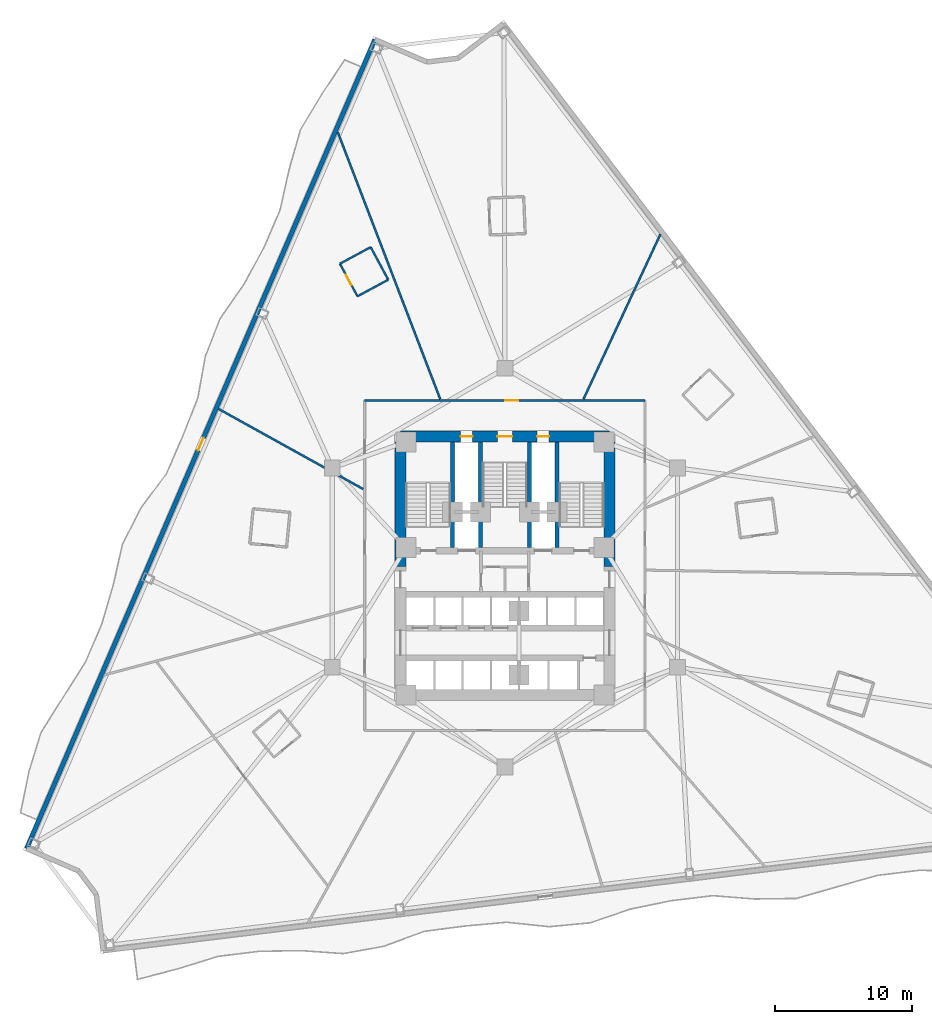
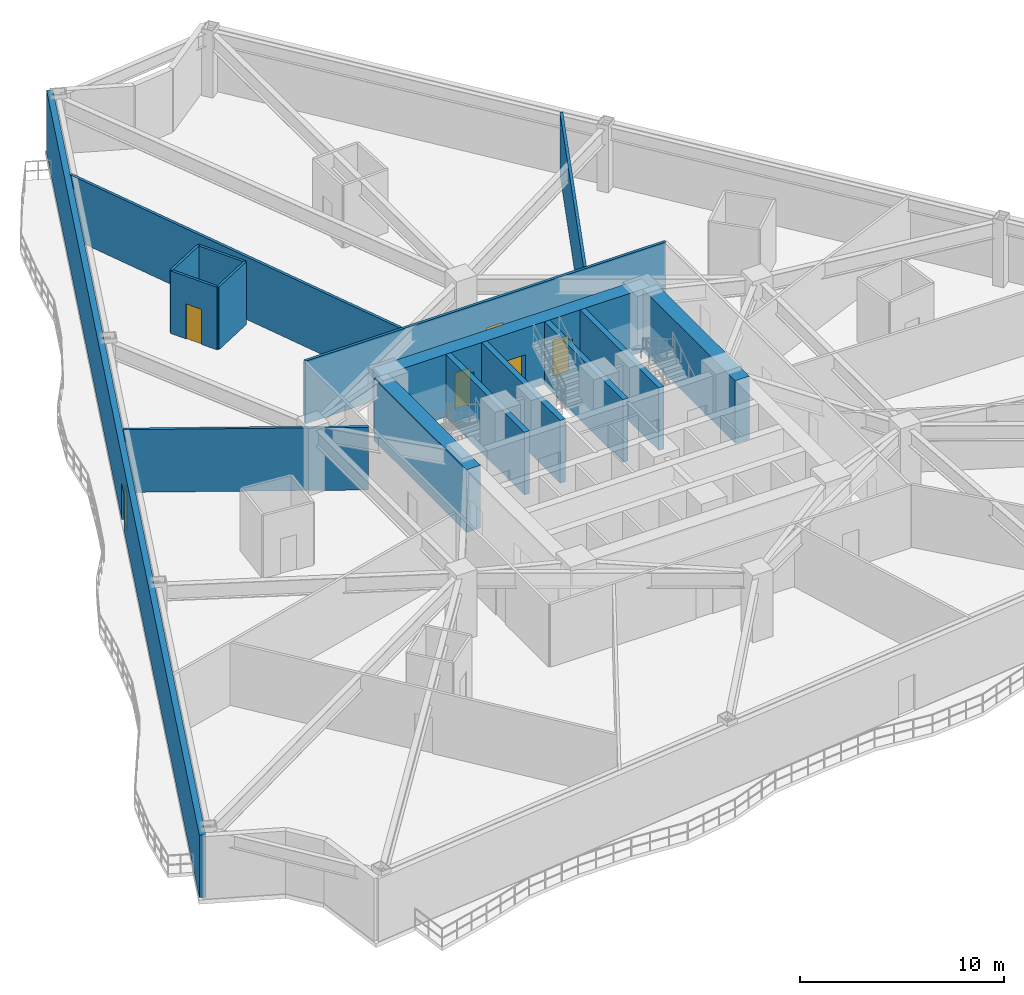
# One storey, part 6 of 12: 16 walls, 6 doors, 6 openings.
"""IFC4 building model written with IfcOpenShell, lengths in metres."""

from ifc_helpers import new_model, si_unit, direction, frame, frame_2d, origin, place, context, subcontext, project, spatial, rectangle, extrude, material, layer, layer_set, type_object, element, fill, save


model = new_model("IFC4")

# Units and contexts
model_context = context("Model", 3, precision=1e-05, world=origin(), true_north=direction((0.0, 1.0)))
body_context = subcontext(model_context, "Body", "Model", "MODEL_VIEW")
ifc_project = project(units=[si_unit("LENGTHUNIT", "METRE"), si_unit("AREAUNIT", "SQUARE_METRE"), si_unit("VOLUMEUNIT", "CUBIC_METRE"), si_unit("PLANEANGLEUNIT", "RADIAN"), si_unit("MASSUNIT", "GRAM", prefix="KILO")], contexts=[model_context])

# Site, building, storey
site_placement = place(None, origin())
site = spatial("IfcSite", under=ifc_project, at=site_placement, CompositionType="ELEMENT")
building_placement = place(site_placement, origin())
building = spatial("IfcBuilding", under=site, at=building_placement, Name="Apsidion Concourse Tower", CompositionType="ELEMENT")
storey_placement = place(building_placement, frame((0.0, 0.0, 71.0)))
storey = spatial("IfcBuildingStorey", under=building, at=storey_placement, Name="L15", CompositionType="ELEMENT", Elevation=71.0)

# Wall, opening, door
ifc_material_1 = material(Name="Precast concrete C40/50", Category="concrete")
ifc_layer_1 = layer(ifc_material_1, 0.320068359375)
ifc_layer_set_1 = layer_set([ifc_layer_1], Name="Precast concrete C40/50")
wall_type_1 = type_object("IfcWallType", Name="WL-EXT-320", PredefinedType="STANDARD", material=ifc_layer_set_1)
wall_1_placement = place(storey_placement, frame((-34.787353515625, -20.429443359375, 0.0), z_axis=(0.0, 0.0, 1.0), x_axis=(0.395418293843, 0.91850115563, 0.0)))
wall_1 = element("IfcWall", 1, at=wall_1_placement, inside=storey, type_object=wall_type_1, Name="L15 Precast Stone Facade Wall 09", PredefinedType="STANDARD", context=body_context, shape_type="SweptSolid", body=[
    extrude(rectangle(XDim=64.058349609375, YDim=0.320068359375, at=frame_2d((32.029296875, 0.0))), origin(), (0.0, 0.0, 1.0), 3.75),
])
opening_1_placement = place(wall_1_placement, frame((31.529296875, 0.0, 0.0)))
opening_1 = element("IfcOpeningElement", 2, at=opening_1_placement, cuts=wall_1, Name="Opening D-T1R", PredefinedType="OPENING", context=body_context, shape_type="SweptSolid", body=[
    extrude(rectangle(XDim=1.0, YDim=2.14990234375, at=frame_2d((0.5, 1.074951171875))), frame((0.0, 0.169921875, 0.0), z_axis=(0.0, -1.0, 0.0), x_axis=(1.0, 0.0, 0.0)), (0.0, 0.0, 1.0), 0.340087890625),
])
ifc_material_2 = material(Name="Anodised aluminium EN AW-6063 T6", Category="aluminium")
door_type_1 = type_object("IfcDoorType", Name="DR-TER-1022R", OperationType="SINGLE_SWING_RIGHT", PredefinedType="DOOR", material=ifc_material_2)
door_1_placement = place(opening_1_placement, origin())
door_1 = element("IfcDoor", 3, at=door_1_placement, inside=storey, type_object=door_type_1, Name="L15 Balcony Access Door 1", OperationType="SINGLE_SWING_RIGHT", OverallHeight=2.14990234375, OverallWidth=1.0, PredefinedType="DOOR", context=body_context, shape_type="SweptSolid", body=[
    extrude(rectangle(XDim=1.0, YDim=2.14990234375, at=frame_2d((0.5, 1.074951171875))), frame((0.0, 0.02490234375, 0.0), z_axis=(0.0, -1.0, 0.0), x_axis=(1.0, 0.0, 0.0)), (0.0, 0.0, 1.0), 0.050048828125),
])
fill(opening_1, door_1)

# Walls
ifc_material_3 = material(Name="Gypsum plasterboard partition")
ifc_layer_2 = layer(ifc_material_3, 0.139892578125)
ifc_layer_set_2 = layer_set([ifc_layer_2], Name="Gypsum plasterboard partition")
wall_type_2 = type_object("IfcWallType", Name="WL-INT-PAR-140", PredefinedType="PARTITIONING", material=ifc_layer_set_2)
wall_2_placement = place(storey_placement, frame((-8.48876953125, 20.944091796875, 0.0), z_axis=(0.0, 0.0, 1.0), x_axis=(-0.474126884087, 0.88045652805, 0.0)))
element("IfcWall", 4, at=wall_2_placement, inside=storey, type_object=wall_type_2, Name="L15 Interior Partition WL-L15-POD-ENS08-S1", PredefinedType="PARTITIONING", context=body_context, shape_type="SweptSolid", body=[
    extrude(rectangle(XDim=2.68994140625, YDim=0.139892578125, at=frame_2d((1.344970703125, 0.0))), origin(), (0.0, 0.0, 1.0), 3.75),
])
wall_3_placement = place(storey_placement, frame((-9.76416015625, 23.3125, 0.0), z_axis=(0.0, 0.0, 1.0), x_axis=(-0.880483445652, -0.474076894536, 0.0)))
element("IfcWall", 5, at=wall_3_placement, inside=storey, type_object=wall_type_2, Name="L15 Interior Partition WL-L15-POD-ENS08-S2", PredefinedType="PARTITIONING", context=body_context, shape_type="SweptSolid", body=[
    extrude(rectangle(XDim=2.539794921875, YDim=0.139892578125, at=frame_2d((1.27001953125, 0.0))), origin(), (0.0, 0.0, 1.0), 3.75),
])

# Wall, opening, door
wall_4_placement = place(storey_placement, frame((-12.00048828125, 22.1083984375, 0.0), z_axis=(0.0, 0.0, 1.0), x_axis=(0.474126884087, -0.88045652805, 0.0)))
wall_4 = element("IfcWall", 6, at=wall_4_placement, inside=storey, type_object=wall_type_2, Name="L15 Interior Partition WL-L15-POD-ENS08-S3", PredefinedType="PARTITIONING", context=body_context, shape_type="SweptSolid", body=[
    extrude(rectangle(XDim=2.68994140625, YDim=0.139892578125, at=frame_2d((1.344970703125, 0.0))), origin(), (0.0, 0.0, 1.0), 3.75),
])
opening_2_placement = place(wall_4_placement, frame((0.905029296875, 0.0, 0.0)))
opening_2 = element("IfcOpeningElement", 7, at=opening_2_placement, cuts=wall_4, Name="Opening D-03L", PredefinedType="OPENING", context=body_context, shape_type="SweptSolid", body=[
    extrude(rectangle(XDim=0.8798828125, YDim=2.10009765625, at=frame_2d((0.43994140625, 1.050048828125))), frame((0.0, 0.080078125, 0.0), z_axis=(0.0, -1.0, 0.0), x_axis=(1.0, 0.0, 0.0)), (0.0, 0.0, 1.0), 0.159912109375),
])
door_type_2 = type_object("IfcDoorType", Name="DR-INT-D03L", OperationType="SINGLE_SWING_LEFT", PredefinedType="DOOR", material=ifc_material_2)
door_2_placement = place(opening_2_placement, origin())
door_2 = element("IfcDoor", 8, at=door_2_placement, inside=storey, type_object=door_type_2, Name="L15 Guest En-Suite Bathroom Door ENS08", OperationType="SINGLE_SWING_LEFT", OverallHeight=2.10009765625, OverallWidth=0.8798828125, PredefinedType="DOOR", context=body_context, shape_type="SweptSolid", body=[
    extrude(rectangle(XDim=0.8798828125, YDim=2.10009765625, at=frame_2d((0.43994140625, 1.050048828125))), frame((0.0, 0.02490234375, 0.0), z_axis=(0.0, -1.0, 0.0), x_axis=(1.0, 0.0, 0.0)), (0.0, 0.0, 1.0), 0.050048828125),
])
fill(opening_2, door_2)

# Wall
wall_5_placement = place(storey_placement, frame((-10.72509765625, 19.739990234375, 0.0), z_axis=(0.0, 0.0, 1.0), x_axis=(0.880483445652, 0.474076894536, 0.0)))
element("IfcWall", 9, at=wall_5_placement, inside=storey, type_object=wall_type_2, Name="L15 Interior Partition WL-L15-POD-ENS08-S4", PredefinedType="PARTITIONING", context=body_context, shape_type="SweptSolid", body=[
    extrude(rectangle(XDim=2.539794921875, YDim=0.139892578125, at=frame_2d((1.27001953125, 0.0))), origin(), (0.0, 0.0, 1.0), 3.75),
])

# Wall, opening, door
ifc_layer_3 = layer(ifc_material_3, 0.14990234375)
ifc_layer_set_3 = layer_set([ifc_layer_3], Name="Gypsum plasterboard partition")
wall_type_3 = type_object("IfcWallType", Name="WL-INT-PAR-150", PredefinedType="PARTITIONING", material=ifc_layer_set_3)
wall_6_placement = place(storey_placement, frame((-10.199951171875, 12.14990234375, 0.0), z_axis=(0.0, 0.0, 1.0), x_axis=(1.0, 0.0, 0.0)))
wall_6 = element("IfcWall", 10, at=wall_6_placement, inside=storey, type_object=wall_type_3, Name="L15 Interior Partition WL-L15-CORR-01", PredefinedType="PARTITIONING", context=body_context, shape_type="SweptSolid", body=[
    extrude(rectangle(XDim=20.39990234375, YDim=0.14990234375, at=frame_2d((10.199951171875, 0.0))), origin(), (0.0, 0.0, 1.0), 3.75),
])
opening_3_placement = place(wall_6_placement, frame((10.23095703125, 0.0, 0.0)))
opening_3 = element("IfcOpeningElement", 11, at=opening_3_placement, cuts=wall_6, Name="Opening D-01R", PredefinedType="OPENING", context=body_context, shape_type="SweptSolid", body=[
    extrude(rectangle(XDim=0.949951171875, YDim=2.14990234375, at=frame_2d((0.47509765625, 1.074951171875))), frame((0.0, 0.0849609375, 0.0), z_axis=(0.0, -1.0, 0.0), x_axis=(1.0, 0.0, 0.0)), (0.0, 0.0, 1.0), 0.169921875),
])
ifc_material_4 = material(Name="Brushed stainless steel 316", Category="steel")
door_type_3 = type_object("IfcDoorType", Name="DR-INT-D01R", OperationType="SINGLE_SWING_RIGHT", PredefinedType="DOOR", material=ifc_material_4)
door_3_placement = place(opening_3_placement, origin())
door_3 = element("IfcDoor", 12, at=door_3_placement, inside=storey, type_object=door_type_3, Name="L15 Corridor Entry Door 08", OperationType="SINGLE_SWING_RIGHT", OverallHeight=2.14990234375, OverallWidth=0.949951171875, PredefinedType="DOOR", context=body_context, shape_type="SweptSolid", body=[
    extrude(rectangle(XDim=0.949951171875, YDim=2.14990234375, at=frame_2d((0.47509765625, 1.074951171875))), frame((0.0, 0.02490234375, 0.0), z_axis=(0.0, -1.0, 0.0), x_axis=(1.0, 0.0, 0.0)), (0.0, 0.0, 1.0), 0.050048828125),
])
fill(opening_3, door_3)

# Walls
wall_7_placement = place(storey_placement, frame((5.714599609375, 12.2548828125, 0.0), z_axis=(0.0, 0.0, 1.0), x_axis=(0.422623119821, 0.906305521661, 0.0)))
element("IfcWall", 13, at=wall_7_placement, inside=storey, type_object=wall_type_3, Name="L15 Interior Partition WL-L15-RAD-02-1", PredefinedType="PARTITIONING", context=body_context, shape_type="SweptSolid", body=[
    extrude(rectangle(XDim=13.246826171875, YDim=0.14990234375, at=frame_2d((6.62353515625, 0.0))), origin(), (0.0, 0.0, 1.0), 3.75),
])
wall_8_placement = place(storey_placement, frame((-4.704345703125, 12.2548828125, 0.0), z_axis=(0.0, 0.0, 1.0), x_axis=(-0.358362673057, 0.933582451934, 0.0)))
element("IfcWall", 14, at=wall_8_placement, inside=storey, type_object=wall_type_3, Name="L15 Interior Partition WL-L15-RAD-03-1", PredefinedType="PARTITIONING", context=body_context, shape_type="SweptSolid", body=[
    extrude(rectangle(XDim=20.810546875, YDim=0.14990234375, at=frame_2d((10.4052734375, 0.0))), origin(), (0.0, 0.0, 1.0), 3.75),
])
wall_9_placement = place(storey_placement, frame((-10.304931640625, 5.712158203125, 0.0), z_axis=(0.0, 0.0, 1.0), x_axis=(-0.87461523799, 0.484817682718, 0.0)))
element("IfcWall", 15, at=wall_9_placement, inside=storey, type_object=wall_type_3, Name="L15 Interior Partition WL-L15-RAD-04-1", PredefinedType="PARTITIONING", context=body_context, shape_type="SweptSolid", body=[
    extrude(rectangle(XDim=12.034912109375, YDim=0.14990234375, at=frame_2d((6.017578125, 0.0))), origin(), (0.0, 0.0, 1.0), 3.75),
])
ifc_material_5 = material(Name="Concrete C50/60", Category="concrete")
ifc_layer_4 = layer(ifc_material_5, 0.300048828125)
ifc_layer_set_4 = layer_set([ifc_layer_4], Name="Concrete C50/60")
wall_type_4 = type_object("IfcWallType", Name="WL-SH-300", PredefinedType="SHEAR", material=ifc_layer_set_4)
for number, where, z_axis, x_axis, name in (
    (16, (-3.800048828125, 1.449951171875, 0.0), (0.0, 0.0, 1.0), (0.0, 1.0, 0.0), "L15 Central Core Shear Wall V1"),
    (17, (-1.77490234375, 1.449951171875, 0.0), (0.0, 0.0, 1.0), (0.0, 1.0, 0.0), "L15 Central Core Shear Wall V2"),
    (18, (1.77490234375, 1.449951171875, 0.0), (0.0, 0.0, 1.0), (0.0, 1.0, 0.0), "L15 Central Core Shear Wall V3"),
    (19, (3.800048828125, 1.449951171875, 0.0), (0.0, 0.0, 1.0), (0.0, 1.0, 0.0), "L15 Central Core Shear Wall V4"),
):
    element("IfcWall", number, at=place(storey_placement, frame(where, z_axis=z_axis, x_axis=x_axis)), inside=storey, type_object=wall_type_4, Name=name, PredefinedType="SHEAR", context=body_context, shape_type="SweptSolid", body=[
        extrude(rectangle(XDim=7.699951171875, YDim=0.300048828125, at=frame_2d((3.85009765625, 0.0))), origin(), (0.0, 0.0, 1.0), 3.75),
    ])

# Wall, openings, doors
ifc_material_6 = material(Name="Concrete C60/75", Category="concrete")
ifc_layer_5 = layer(ifc_material_6, 0.800048828125)
ifc_layer_set_5 = layer_set([ifc_layer_5], Name="Concrete C60/75")
wall_type_5 = type_object("IfcWallType", Name="WL-SH-800", PredefinedType="SHEAR", material=ifc_layer_set_5)
wall_10_placement = place(storey_placement, frame((-7.60009765625, 9.550048828125, 0.0), z_axis=(0.0, 0.0, 1.0), x_axis=(1.0, 0.0, 0.0)))
wall_10 = element("IfcWall", 20, at=wall_10_placement, inside=storey, type_object=wall_type_5, Name="L15 Central Core Shear Wall N", PredefinedType="SHEAR", context=body_context, shape_type="SweptSolid", body=[
    extrude(rectangle(XDim=15.2001953125, YDim=0.800048828125, at=frame_2d((7.60009765625, 0.0))), origin(), (0.0, 0.0, 1.0), 3.75),
])
opening_4_placement = place(wall_10_placement, frame((7.050048828125, 0.0, 0.0)))
opening_4 = element("IfcOpeningElement", 21, at=opening_4_placement, cuts=wall_10, Name="Opening D-STL", PredefinedType="OPENING", context=body_context, shape_type="SweptSolid", body=[
    extrude(rectangle(XDim=1.10009765625, YDim=2.14990234375, at=frame_2d((0.550048828125, 1.074951171875))), frame((0.0, 0.41015625, 0.0), z_axis=(0.0, -1.0, 0.0), x_axis=(1.0, 0.0, 0.0)), (0.0, 0.0, 1.0), 0.820068359375),
])
opening_5_placement = place(wall_10_placement, frame((4.3798828125, 0.0, 0.0)))
opening_5 = element("IfcOpeningElement", 22, at=opening_5_placement, cuts=wall_10, Name="Opening D-05L", PredefinedType="OPENING", context=body_context, shape_type="SweptSolid", body=[
    extrude(rectangle(XDim=0.8798828125, YDim=2.14990234375, at=frame_2d((0.43994140625, 1.074951171875))), frame((0.0, 0.41015625, 0.0), z_axis=(0.0, -1.0, 0.0), x_axis=(1.0, 0.0, 0.0)), (0.0, 0.0, 1.0), 0.820068359375),
])
opening_6_placement = place(wall_10_placement, frame((9.93994140625, 0.0, 0.0)))
opening_6 = element("IfcOpeningElement", 23, at=opening_6_placement, cuts=wall_10, Name="Opening D-05R", PredefinedType="OPENING", context=body_context, shape_type="SweptSolid", body=[
    extrude(rectangle(XDim=0.8798828125, YDim=2.14990234375, at=frame_2d((0.43994140625, 1.074951171875))), frame((0.0, 0.41015625, 0.0), z_axis=(0.0, -1.0, 0.0), x_axis=(1.0, 0.0, 0.0)), (0.0, 0.0, 1.0), 0.820068359375),
])
door_type_4 = type_object("IfcDoorType", Name="DR-INT-D05L", OperationType="SINGLE_SWING_LEFT", PredefinedType="DOOR", material=ifc_material_4)
door_4_placement = place(opening_5_placement, origin())
door_4 = element("IfcDoor", 24, at=door_4_placement, inside=storey, type_object=door_type_4, Name="L15 Electrical Riser Shaft Access Door", OperationType="SINGLE_SWING_LEFT", OverallHeight=2.14990234375, OverallWidth=0.8798828125, PredefinedType="DOOR", context=body_context, shape_type="SweptSolid", body=[
    extrude(rectangle(XDim=0.8798828125, YDim=2.14990234375, at=frame_2d((0.43994140625, 1.074951171875))), frame((0.0, 0.02490234375, 0.0), z_axis=(0.0, -1.0, 0.0), x_axis=(1.0, 0.0, 0.0)), (0.0, 0.0, 1.0), 0.050048828125),
])
fill(opening_5, door_4)
door_type_5 = type_object("IfcDoorType", Name="DR-INT-D05R", OperationType="SINGLE_SWING_RIGHT", PredefinedType="DOOR", material=ifc_material_4)
door_5_placement = place(opening_6_placement, origin())
door_5 = element("IfcDoor", 25, at=door_5_placement, inside=storey, type_object=door_type_5, Name="L15 Mechanical Riser Shaft Access Door", OperationType="SINGLE_SWING_RIGHT", OverallHeight=2.14990234375, OverallWidth=0.8798828125, PredefinedType="DOOR", context=body_context, shape_type="SweptSolid", body=[
    extrude(rectangle(XDim=0.8798828125, YDim=2.14990234375, at=frame_2d((0.43994140625, 1.074951171875))), frame((0.0, 0.02490234375, 0.0), z_axis=(0.0, -1.0, 0.0), x_axis=(1.0, 0.0, 0.0)), (0.0, 0.0, 1.0), 0.050048828125),
])
fill(opening_6, door_5)
door_type_6 = type_object("IfcDoorType", Name="DR-INT-ST1L", OperationType="SINGLE_SWING_LEFT", PredefinedType="DOOR", material=ifc_material_4)
door_6_placement = place(opening_4_placement, origin())
door_6 = element("IfcDoor", 26, at=door_6_placement, inside=storey, type_object=door_type_6, Name="L15 Core Exit Stair ST3 Door", OperationType="SINGLE_SWING_LEFT", OverallHeight=2.14990234375, OverallWidth=1.10009765625, PredefinedType="DOOR", context=body_context, shape_type="SweptSolid", body=[
    extrude(rectangle(XDim=1.10009765625, YDim=2.14990234375, at=frame_2d((0.550048828125, 1.074951171875))), frame((0.0, 0.02490234375, 0.0), z_axis=(0.0, -1.0, 0.0), x_axis=(1.0, 0.0, 0.0)), (0.0, 0.0, 1.0), 0.050048828125),
])
fill(opening_4, door_6)

# Walls
for number, where, z_axis, x_axis, name in (
    (27, (-7.60009765625, 0.10009765625, 0.0), (0.0, 0.0, 1.0), (0.0, 1.0, 0.0), "L15 Central Core Shear Wall WN"),
    (28, (7.60009765625, 0.10009765625, 0.0), (0.0, 0.0, 1.0), (0.0, 1.0, 0.0), "L15 Central Core Shear Wall EN"),
):
    element("IfcWall", number, at=place(storey_placement, frame(where, z_axis=z_axis, x_axis=x_axis)), inside=storey, type_object=wall_type_5, Name=name, PredefinedType="SHEAR", context=body_context, shape_type="SweptSolid", body=[
        extrude(rectangle(XDim=9.0498046875, YDim=0.800048828125, at=frame_2d((4.52490234375, 0.0))), origin(), (0.0, 0.0, 1.0), 3.75),
    ])

save(model, "model.ifc")
